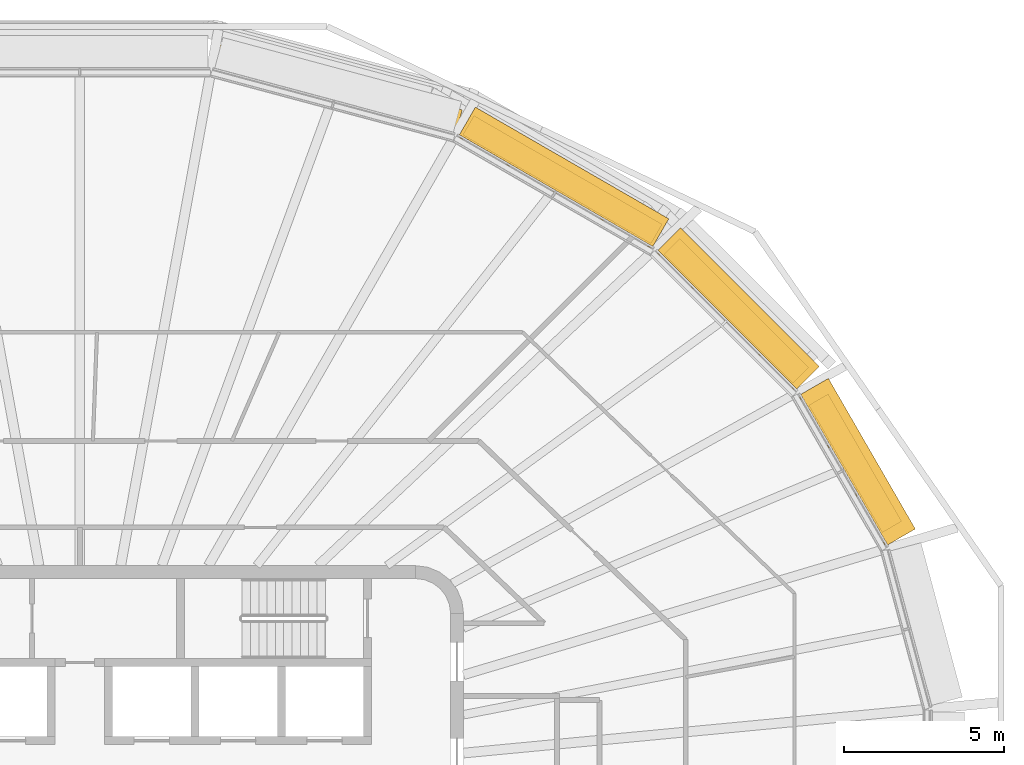
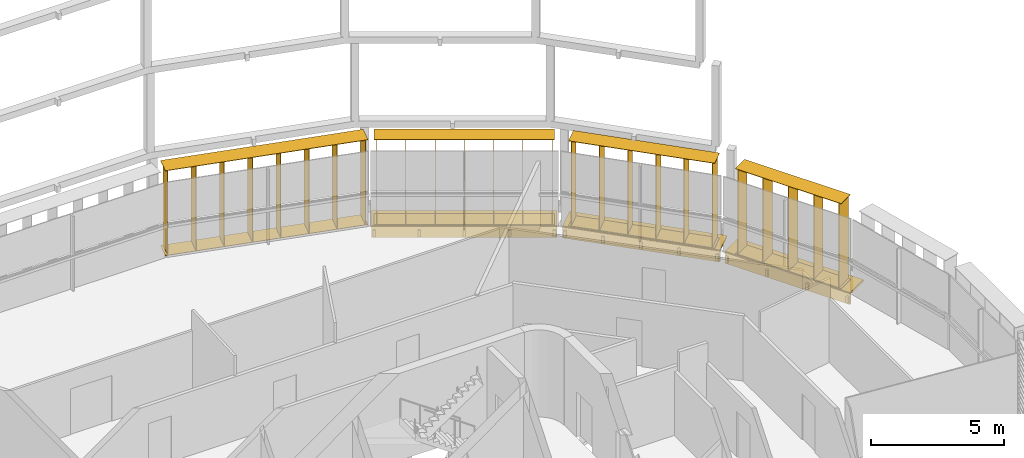
# One storey, part 21 of 21: 7 shading devices.
"""IFC4 building model written with IfcOpenShell, lengths in metres."""

from ifc_helpers import new_model, si_unit, direction, frame, origin, origin_2d, place, context, subcontext, project, spatial, rectangle, extrude, material, type_object, element, save


model = new_model("IFC4")

# Units and contexts
model_context = context("Model", 3, precision=1e-05, world=origin(), true_north=direction((0.0, 1.0)))
body_context = subcontext(model_context, "Body", "Model", "MODEL_VIEW")
ifc_project = project(units=[si_unit("LENGTHUNIT", "METRE"), si_unit("AREAUNIT", "SQUARE_METRE"), si_unit("VOLUMEUNIT", "CUBIC_METRE"), si_unit("PLANEANGLEUNIT", "RADIAN"), si_unit("MASSUNIT", "GRAM", prefix="KILO")], contexts=[model_context])

# Site, building, storey
site_placement = place(None, origin())
site = spatial("IfcSite", under=ifc_project, at=site_placement, CompositionType="ELEMENT")
building_placement = place(site_placement, origin())
building = spatial("IfcBuilding", under=site, at=building_placement, Name="Sahrelin Media Tower", CompositionType="ELEMENT")
storey_placement = place(building_placement, frame((0.0, 0.0, 304.39990234375)))
storey = spatial("IfcBuildingStorey", under=building, at=storey_placement, Name="L67", CompositionType="ELEMENT", Elevation=304.39990234375)

# Shading devices
ifc_material = material(Name="Champagne anodised aluminium 6063-T6", Category="aluminium")
shading_device_type_1 = type_object("IfcShadingDeviceType", Name="Fin cassette", PredefinedType="USERDEFINED", material=ifc_material)
placement_1 = place(storey_placement, frame((23.88818359375, 9.992431640625, 0.0), z_axis=(0.0, 0.0, 1.0), x_axis=(0.500011000363, -0.866019052629, 0.0)))
element("IfcShadingDevice", 1, at=placement_1, inside=storey, type_object=shading_device_type_1, Name="L67:FIN:L67-02", ObjectType="FIN", PredefinedType="USERDEFINED", context=body_context, shape_type="SweptSolid", body=[
    extrude(rectangle(XDim=4.60009765625, YDim=0.699951171875, at=origin_2d()), frame((0.0, 0.419921875, 0.0)), (0.0, 0.0, 1.0), 0.02001953125),
    extrude(rectangle(XDim=4.60009765625, YDim=0.699951171875, at=origin_2d()), frame((0.0, 0.419921875, 3.89990234375)), (0.0, 0.0, 1.0), 0.02001953125),
    extrude(rectangle(XDim=0.02001953125, YDim=0.699951171875, at=origin_2d()), frame((-2.199951171875, 0.419921875, 0.010009765625), z_axis=(0.0, 0.0, 1.0), x_axis=(1.0, 0.0, 0.0)), (0.0, 0.0, 1.0), 3.89990234375),
    extrude(rectangle(XDim=0.02001953125, YDim=0.699951171875, at=origin_2d()), frame((-1.10009765625, 0.419921875, 0.010009765625), z_axis=(0.0, 0.0, 1.0), x_axis=(1.0, 0.0, 0.0)), (0.0, 0.0, 1.0), 3.89990234375),
    extrude(rectangle(XDim=0.02001953125, YDim=0.699951171875, at=origin_2d()), frame((0.0, 0.419921875, 0.010009765625), z_axis=(0.0, 0.0, 1.0), x_axis=(1.0, 0.0, 0.0)), (0.0, 0.0, 1.0), 3.89990234375),
    extrude(rectangle(XDim=0.02001953125, YDim=0.699951171875, at=origin_2d()), frame((1.10009765625, 0.419921875, 0.010009765625), z_axis=(0.0, 0.0, 1.0), x_axis=(1.0, 0.0, 0.0)), (0.0, 0.0, 1.0), 3.89990234375),
    extrude(rectangle(XDim=0.02001953125, YDim=0.699951171875, at=origin_2d()), frame((2.199951171875, 0.419921875, 0.010009765625), z_axis=(0.0, 0.0, 1.0), x_axis=(1.0, 0.0, 0.0)), (0.0, 0.0, 1.0), 3.89990234375),
])
placement_2 = place(storey_placement, frame((20.23779296875, 14.674560546875, 0.0), z_axis=(0.0, 0.0, 1.0), x_axis=(0.707106781187, -0.707106781187, 0.0)))
element("IfcShadingDevice", 2, at=placement_2, inside=storey, type_object=shading_device_type_1, Name="L67:FIN:L67-03", ObjectType="FIN", PredefinedType="USERDEFINED", context=body_context, shape_type="SweptSolid", body=[
    extrude(rectangle(XDim=5.699951171875, YDim=0.699951171875, at=origin_2d()), frame((0.0, 0.419921875, 0.0)), (0.0, 0.0, 1.0), 0.02001953125),
    extrude(rectangle(XDim=5.699951171875, YDim=0.699951171875, at=origin_2d()), frame((0.0, 0.419921875, 3.89990234375)), (0.0, 0.0, 1.0), 0.02001953125),
    extrude(rectangle(XDim=0.02001953125, YDim=0.699951171875, at=origin_2d()), frame((-2.75, 0.419921875, 0.010009765625), z_axis=(0.0, 0.0, 1.0), x_axis=(1.0, 0.0, 0.0)), (0.0, 0.0, 1.0), 3.89990234375),
    extrude(rectangle(XDim=0.02001953125, YDim=0.699951171875, at=origin_2d()), frame((-1.64990234375, 0.419921875, 0.010009765625), z_axis=(0.0, 0.0, 1.0), x_axis=(1.0, 0.0, 0.0)), (0.0, 0.0, 1.0), 3.89990234375),
    extrude(rectangle(XDim=0.02001953125, YDim=0.699951171875, at=origin_2d()), frame((-0.550048828125, 0.419921875, 0.010009765625), z_axis=(0.0, 0.0, 1.0), x_axis=(1.0, 0.0, 0.0)), (0.0, 0.0, 1.0), 3.89990234375),
    extrude(rectangle(XDim=0.02001953125, YDim=0.699951171875, at=origin_2d()), frame((0.550048828125, 0.419921875, 0.010009765625), z_axis=(0.0, 0.0, 1.0), x_axis=(1.0, 0.0, 0.0)), (0.0, 0.0, 1.0), 3.89990234375),
    extrude(rectangle(XDim=0.02001953125, YDim=0.699951171875, at=origin_2d()), frame((1.64990234375, 0.419921875, 0.010009765625), z_axis=(0.0, 0.0, 1.0), x_axis=(1.0, 0.0, 0.0)), (0.0, 0.0, 1.0), 3.89990234375),
    extrude(rectangle(XDim=0.02001953125, YDim=0.699951171875, at=origin_2d()), frame((2.75, 0.419921875, 0.010009765625), z_axis=(0.0, 0.0, 1.0), x_axis=(1.0, 0.0, 0.0)), (0.0, 0.0, 1.0), 3.89990234375),
])
placement_3 = place(storey_placement, frame((14.885009765625, 18.712158203125, 0.0), z_axis=(0.0, 0.0, 1.0), x_axis=(0.866019052629, -0.500011000363, 0.0)))
element("IfcShadingDevice", 3, at=placement_3, inside=storey, type_object=shading_device_type_1, Name="L67:FIN:L67-04", ObjectType="FIN", PredefinedType="USERDEFINED", context=body_context, shape_type="SweptSolid", body=[
    extrude(rectangle(XDim=6.800048828125, YDim=0.699951171875, at=origin_2d()), frame((0.0, 0.419921875, 0.0)), (0.0, 0.0, 1.0), 0.02001953125),
    extrude(rectangle(XDim=6.800048828125, YDim=0.699951171875, at=origin_2d()), frame((0.0, 0.419921875, 3.89990234375)), (0.0, 0.0, 1.0), 0.02001953125),
    extrude(rectangle(XDim=0.02001953125, YDim=0.699951171875, at=origin_2d()), frame((-3.300048828125, 0.419921875, 0.010009765625), z_axis=(0.0, 0.0, 1.0), x_axis=(1.0, 0.0, 0.0)), (0.0, 0.0, 1.0), 3.89990234375),
    extrude(rectangle(XDim=0.02001953125, YDim=0.699951171875, at=origin_2d()), frame((-2.199951171875, 0.419921875, 0.010009765625), z_axis=(0.0, 0.0, 1.0), x_axis=(1.0, 0.0, 0.0)), (0.0, 0.0, 1.0), 3.89990234375),
    extrude(rectangle(XDim=0.02001953125, YDim=0.699951171875, at=origin_2d()), frame((-1.10009765625, 0.419921875, 0.010009765625), z_axis=(0.0, 0.0, 1.0), x_axis=(1.0, 0.0, 0.0)), (0.0, 0.0, 1.0), 3.89990234375),
    extrude(rectangle(XDim=0.02001953125, YDim=0.699951171875, at=origin_2d()), frame((0.0, 0.419921875, 0.010009765625), z_axis=(0.0, 0.0, 1.0), x_axis=(1.0, 0.0, 0.0)), (0.0, 0.0, 1.0), 3.89990234375),
    extrude(rectangle(XDim=0.02001953125, YDim=0.699951171875, at=origin_2d()), frame((1.10009765625, 0.419921875, 0.010009765625), z_axis=(0.0, 0.0, 1.0), x_axis=(1.0, 0.0, 0.0)), (0.0, 0.0, 1.0), 3.89990234375),
    extrude(rectangle(XDim=0.02001953125, YDim=0.699951171875, at=origin_2d()), frame((2.199951171875, 0.419921875, 0.010009765625), z_axis=(0.0, 0.0, 1.0), x_axis=(1.0, 0.0, 0.0)), (0.0, 0.0, 1.0), 3.89990234375),
    extrude(rectangle(XDim=0.02001953125, YDim=0.699951171875, at=origin_2d()), frame((3.300048828125, 0.419921875, 0.010009765625), z_axis=(0.0, 0.0, 1.0), x_axis=(1.0, 0.0, 0.0)), (0.0, 0.0, 1.0), 3.89990234375),
])
shading_device_4_placement = place(storey_placement, frame((7.944091796875, 21.53466796875, 0.0), z_axis=(0.0, 0.0, 1.0), x_axis=(0.965928857556, -0.258807731996, 0.0)))
element("IfcShadingDevice", 4, at=shading_device_4_placement, inside=storey, type_object=shading_device_type_1, Name="L67:FIN:L67-05", ObjectType="FIN", PredefinedType="USERDEFINED", context=body_context, shape_type="SweptSolid", body=[
    extrude(rectangle(XDim=7.89990234375, YDim=0.699951171875, at=origin_2d()), frame((0.0, 0.419921875, 0.0)), (0.0, 0.0, 1.0), 0.02001953125),
    extrude(rectangle(XDim=7.89990234375, YDim=0.699951171875, at=origin_2d()), frame((0.0, 0.419921875, 3.89990234375)), (0.0, 0.0, 1.0), 0.02001953125),
    extrude(rectangle(XDim=0.02001953125, YDim=0.699951171875, at=origin_2d()), frame((-3.85009765625, 0.419921875, 0.010009765625), z_axis=(0.0, 0.0, 1.0), x_axis=(1.0, 0.0, 0.0)), (0.0, 0.0, 1.0), 3.89990234375),
    extrude(rectangle(XDim=0.02001953125, YDim=0.699951171875, at=origin_2d()), frame((-2.75, 0.419921875, 0.010009765625), z_axis=(0.0, 0.0, 1.0), x_axis=(1.0, 0.0, 0.0)), (0.0, 0.0, 1.0), 3.89990234375),
    extrude(rectangle(XDim=0.02001953125, YDim=0.699951171875, at=origin_2d()), frame((-1.64990234375, 0.419921875, 0.010009765625), z_axis=(0.0, 0.0, 1.0), x_axis=(1.0, 0.0, 0.0)), (0.0, 0.0, 1.0), 3.89990234375),
    extrude(rectangle(XDim=0.02001953125, YDim=0.699951171875, at=origin_2d()), frame((-0.550048828125, 0.419921875, 0.010009765625), z_axis=(0.0, 0.0, 1.0), x_axis=(1.0, 0.0, 0.0)), (0.0, 0.0, 1.0), 3.89990234375),
    extrude(rectangle(XDim=0.02001953125, YDim=0.699951171875, at=origin_2d()), frame((0.550048828125, 0.419921875, 0.010009765625), z_axis=(0.0, 0.0, 1.0), x_axis=(1.0, 0.0, 0.0)), (0.0, 0.0, 1.0), 3.89990234375),
    extrude(rectangle(XDim=0.02001953125, YDim=0.699951171875, at=origin_2d()), frame((1.64990234375, 0.419921875, 0.010009765625), z_axis=(0.0, 0.0, 1.0), x_axis=(1.0, 0.0, 0.0)), (0.0, 0.0, 1.0), 3.89990234375),
    extrude(rectangle(XDim=0.02001953125, YDim=0.699951171875, at=origin_2d()), frame((2.75, 0.419921875, 0.010009765625), z_axis=(0.0, 0.0, 1.0), x_axis=(1.0, 0.0, 0.0)), (0.0, 0.0, 1.0), 3.89990234375),
    extrude(rectangle(XDim=0.02001953125, YDim=0.699951171875, at=origin_2d()), frame((3.85009765625, 0.419921875, 0.010009765625), z_axis=(0.0, 0.0, 1.0), x_axis=(1.0, 0.0, 0.0)), (0.0, 0.0, 1.0), 3.89990234375),
])
shading_device_type_2 = type_object("IfcShadingDeviceType", Name="Sunshade band", PredefinedType="USERDEFINED", material=ifc_material)
element("IfcShadingDevice", 5, at=placement_1, inside=storey, type_object=shading_device_type_2, Name="L67:SUN:L67-02", ObjectType="SUNSHADE", PredefinedType="USERDEFINED", context=body_context, shape_type="SweptSolid", body=[
    extrude(rectangle(XDim=5.438232421875, YDim=0.050048828125, at=origin_2d()), frame((0.0, 0.044921875, -0.55126953125)), (0.0, 0.0, 1.0), 0.471435546875),
    extrude(rectangle(XDim=5.438232421875, YDim=1.0, at=origin_2d()), frame((0.0, 0.52001953125, -0.080078125)), (0.0, 0.0, 1.0), 0.080078125),
    extrude(rectangle(XDim=0.10009765625, YDim=0.074951171875, at=origin_2d()), frame((-2.619140625, -0.017578125, -0.47021484375)), (0.0, 0.0, 1.0), 0.300048828125),
    extrude(rectangle(XDim=0.10009765625, YDim=0.074951171875, at=origin_2d()), frame((-0.873046875, -0.017578125, -0.47021484375)), (0.0, 0.0, 1.0), 0.300048828125),
    extrude(rectangle(XDim=0.10009765625, YDim=0.074951171875, at=origin_2d()), frame((0.873046875, -0.017578125, -0.47021484375)), (0.0, 0.0, 1.0), 0.300048828125),
    extrude(rectangle(XDim=0.10009765625, YDim=0.074951171875, at=origin_2d()), frame((2.619140625, -0.017578125, -0.47021484375)), (0.0, 0.0, 1.0), 0.300048828125),
])
element("IfcShadingDevice", 6, at=placement_2, inside=storey, type_object=shading_device_type_2, Name="L67:SUN:L67-03", ObjectType="SUNSHADE", PredefinedType="USERDEFINED", context=body_context, shape_type="SweptSolid", body=[
    extrude(rectangle(XDim=6.1376953125, YDim=0.050048828125, at=origin_2d()), frame((0.0, 0.044921875, -0.55126953125)), (0.0, 0.0, 1.0), 0.471435546875),
    extrude(rectangle(XDim=6.1376953125, YDim=1.0, at=origin_2d()), frame((0.0, 0.52001953125, -0.080078125)), (0.0, 0.0, 1.0), 0.080078125),
    extrude(rectangle(XDim=0.10009765625, YDim=0.074951171875, at=origin_2d()), frame((-2.968994140625, -0.017578125, -0.47021484375)), (0.0, 0.0, 1.0), 0.300048828125),
    extrude(rectangle(XDim=0.10009765625, YDim=0.074951171875, at=origin_2d()), frame((-1.484375, -0.017578125, -0.47021484375)), (0.0, 0.0, 1.0), 0.300048828125),
    extrude(rectangle(XDim=0.10009765625, YDim=0.074951171875, at=origin_2d()), frame((0.0, -0.017578125, -0.47021484375)), (0.0, 0.0, 1.0), 0.300048828125),
    extrude(rectangle(XDim=0.10009765625, YDim=0.074951171875, at=origin_2d()), frame((1.484375, -0.017578125, -0.47021484375)), (0.0, 0.0, 1.0), 0.300048828125),
    extrude(rectangle(XDim=0.10009765625, YDim=0.074951171875, at=origin_2d()), frame((2.968994140625, -0.017578125, -0.47021484375)), (0.0, 0.0, 1.0), 0.300048828125),
])
element("IfcShadingDevice", 7, at=placement_3, inside=storey, type_object=shading_device_type_2, Name="L67:SUN:L67-04", ObjectType="SUNSHADE", PredefinedType="USERDEFINED", context=body_context, shape_type="SweptSolid", body=[
    extrude(rectangle(XDim=6.98681640625, YDim=0.050048828125, at=origin_2d()), frame((0.0, 0.044921875, -0.55126953125)), (0.0, 0.0, 1.0), 0.471435546875),
    extrude(rectangle(XDim=6.98681640625, YDim=1.0, at=origin_2d()), frame((0.0, 0.52001953125, -0.080078125)), (0.0, 0.0, 1.0), 0.080078125),
    extrude(rectangle(XDim=0.10009765625, YDim=0.074951171875, at=origin_2d()), frame((-3.393310546875, -0.017578125, -0.47021484375)), (0.0, 0.0, 1.0), 0.300048828125),
    extrude(rectangle(XDim=0.10009765625, YDim=0.074951171875, at=origin_2d()), frame((-1.69677734375, -0.017578125, -0.47021484375)), (0.0, 0.0, 1.0), 0.300048828125),
    extrude(rectangle(XDim=0.10009765625, YDim=0.074951171875, at=origin_2d()), frame((0.0, -0.017578125, -0.47021484375)), (0.0, 0.0, 1.0), 0.300048828125),
    extrude(rectangle(XDim=0.10009765625, YDim=0.074951171875, at=origin_2d()), frame((1.69677734375, -0.017578125, -0.47021484375)), (0.0, 0.0, 1.0), 0.300048828125),
    extrude(rectangle(XDim=0.10009765625, YDim=0.074951171875, at=origin_2d()), frame((3.393310546875, -0.017578125, -0.47021484375)), (0.0, 0.0, 1.0), 0.300048828125),
])

save(model, "model.ifc")
